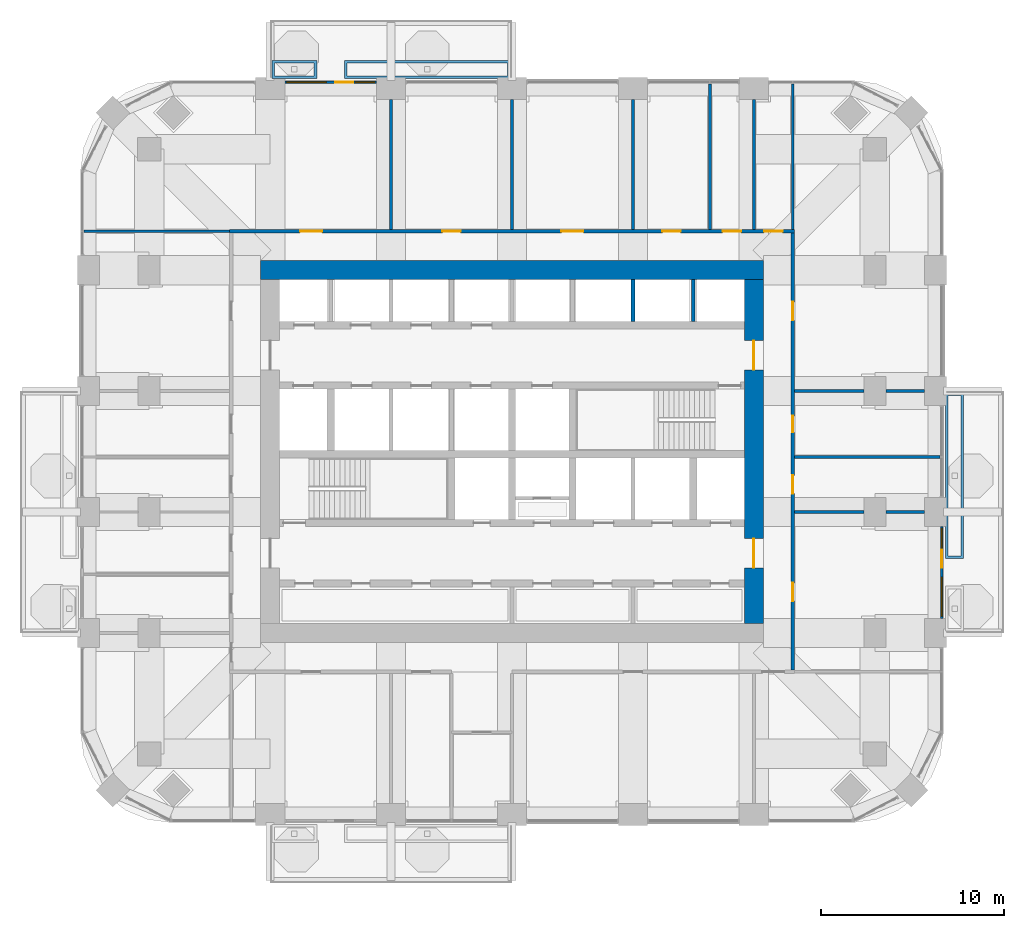
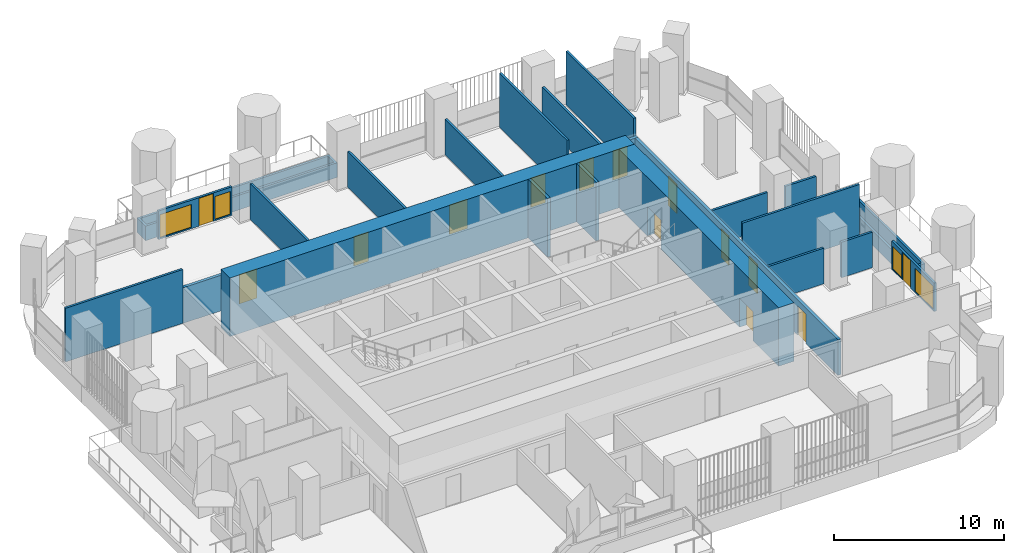
# One storey, part 14 of 20: 23 walls, 14 doors, 4 windows, 18 openings.
"""IFC4 building model written with IfcOpenShell, lengths in metres."""

from ifc_helpers import new_model, si_unit, direction, frame, frame_2d, origin, place, context, subcontext, project, spatial, polyline, rectangle, outline, extrude, material, layer, layer_set, type_object, element, fill, save


model = new_model("IFC4")

# Units and contexts
model_context = context("Model", 3, precision=1e-05, world=origin(), true_north=direction((0.0, 1.0)))
body_context = subcontext(model_context, "Body", "Model", "MODEL_VIEW")
ifc_project = project(units=[si_unit("LENGTHUNIT", "METRE"), si_unit("AREAUNIT", "SQUARE_METRE"), si_unit("VOLUMEUNIT", "CUBIC_METRE"), si_unit("PLANEANGLEUNIT", "RADIAN"), si_unit("MASSUNIT", "GRAM", prefix="KILO")], contexts=[model_context])

# Site, building, storey
site_placement = place(None, origin())
site = spatial("IfcSite", under=ifc_project, at=site_placement, CompositionType="ELEMENT")
building_placement = place(site_placement, origin())
building = spatial("IfcBuilding", under=site, at=building_placement, Name="Cobogo Forest Laboratory Tower", CompositionType="ELEMENT")
storey_placement = place(building_placement, frame((0.0, 0.0, 218.699951171875)))
storey = spatial("IfcBuildingStorey", under=building, at=storey_placement, Name="L50", CompositionType="ELEMENT", Elevation=218.699951171875)

# Wall, openings, doors
ifc_material_1 = material(Name="Concrete HA-50 (C50/60)", Category="concrete")
ifc_layer_1 = layer(ifc_material_1, 1.050048828125)
ifc_layer_set_1 = layer_set([ifc_layer_1], Name="CW1050 core outer wall 1050")
wall_type_1 = type_object("IfcWallType", Name="CW1050 core outer wall 1050", PredefinedType="SHEAR", material=ifc_layer_set_1)
wall_1_placement = place(storey_placement, frame((39.60009765625, 13.72509765625, 0.0), z_axis=(0.0, 0.0, 1.0), x_axis=(0.0, 1.0, 0.0)))
wall_1 = element("IfcWall", 1, at=wall_1_placement, inside=storey, type_object=wall_type_1, Name="Core wall CO-E L50", PredefinedType="SHEAR", context=body_context, shape_type="SweptSolid", body=[
    extrude(rectangle(XDim=18.75, YDim=1.050048828125, at=frame_2d((9.375, 0.0))), origin(), (0.0, 0.0, 1.0), 4.199951171875),
])
opening_1_placement = place(wall_1_placement, frame((3.02490234375, 0.0, 0.0)))
opening_1 = element("IfcOpeningElement", 2, at=opening_1_placement, cuts=wall_1, Name="Opening L50-D21", PredefinedType="OPENING", context=body_context, shape_type="SweptSolid", body=[
    extrude(rectangle(XDim=1.60009765625, YDim=2.10009765625, at=frame_2d((0.800048828125, 1.050048828125))), frame((0.0, 0.534912109375, 0.0), z_axis=(0.0, -1.0, 0.0), x_axis=(1.0, 0.0, 0.0)), (0.0, 0.0, 1.0), 1.070068359375),
])
opening_2_placement = place(wall_1_placement, frame((13.824951171875, 0.0, 0.0)))
opening_2 = element("IfcOpeningElement", 3, at=opening_2_placement, cuts=wall_1, Name="Opening L50-D33", PredefinedType="OPENING", context=body_context, shape_type="SweptSolid", body=[
    extrude(rectangle(XDim=1.60009765625, YDim=2.10009765625, at=frame_2d((0.800048828125, 1.050048828125))), frame((0.0, 0.534912109375, 0.0), z_axis=(0.0, -1.0, 0.0), x_axis=(1.0, 0.0, 0.0)), (0.0, 0.0, 1.0), 1.070068359375),
])
ifc_material_2 = material(Name="Steel fire door", Category="steel")
door_type_1 = type_object("IfcDoorType", Name="DS2 protected lobby door pair 1600 EI2 60", OperationType="DOUBLE_DOOR_DOUBLE_SWING", PredefinedType="DOOR", material=ifc_material_2)
door_1_placement = place(opening_1_placement, origin())
door_1 = element("IfcDoor", 4, at=door_1_placement, inside=storey, type_object=door_type_1, Name="Door L50-CO-E-S", OperationType="DOUBLE_DOOR_DOUBLE_SWING", OverallHeight=2.10009765625, OverallWidth=1.60009765625, PredefinedType="DOOR", context=body_context, shape_type="SweptSolid", body=[
    extrude(rectangle(XDim=1.60009765625, YDim=2.10009765625, at=frame_2d((0.800048828125, 1.050048828125))), frame((0.0, 0.02490234375, 0.0), z_axis=(0.0, -1.0, 0.0), x_axis=(1.0, 0.0, 0.0)), (0.0, 0.0, 1.0), 0.050048828125),
])
fill(opening_1, door_1)
door_2_placement = place(opening_2_placement, origin())
door_2 = element("IfcDoor", 5, at=door_2_placement, inside=storey, type_object=door_type_1, Name="Door L50-CO-E-N", OperationType="DOUBLE_DOOR_DOUBLE_SWING", OverallHeight=2.10009765625, OverallWidth=1.60009765625, PredefinedType="DOOR", context=body_context, shape_type="SweptSolid", body=[
    extrude(rectangle(XDim=1.60009765625, YDim=2.10009765625, at=frame_2d((0.800048828125, 1.050048828125))), frame((0.0, 0.02490234375, 0.0), z_axis=(0.0, -1.0, 0.0), x_axis=(1.0, 0.0, 0.0)), (0.0, 0.0, 1.0), 0.050048828125),
])
fill(opening_2, door_2)

# Wall
wall_2_placement = place(storey_placement, frame((40.125, 33.0, 0.0), z_axis=(0.0, 0.0, 1.0), x_axis=(-1.0, 0.0, 0.0)))
element("IfcWall", 6, at=wall_2_placement, inside=storey, type_object=wall_type_1, Name="Core wall CO-N L50", PredefinedType="SHEAR", context=body_context, shape_type="SweptSolid", body=[
    extrude(rectangle(XDim=27.449951171875, YDim=1.050048828125, at=frame_2d((13.72509765625, 0.0))), origin(), (0.0, 0.0, 1.0), 4.199951171875),
])

# Wall, openings, door, windows
ifc_material_3 = material(Name="Aluminium framed glazed screen", Category="aluminium")
ifc_layer_2 = layer(ifc_material_3, 0.14990234375)
ifc_layer_set_2 = layer_set([ifc_layer_2], Name="GS1 glazed door screen 150")
wall_type_2 = type_object("IfcWallType", Name="GS1 glazed door screen 150", PredefinedType="SOLIDWALL", material=ifc_layer_set_2)
wall_3_placement = place(storey_placement, frame((49.85009765625, 14.0, 0.0), z_axis=(0.0, 0.0, 1.0), x_axis=(0.0, 1.0, 0.0)))
wall_3 = element("IfcWall", 7, at=wall_3_placement, inside=storey, type_object=wall_type_2, Name="Door screen BAL-E1 L50", PredefinedType="SOLIDWALL", context=body_context, shape_type="SweptSolid", body=[
    extrude(rectangle(XDim=5.0, YDim=0.14990234375, at=frame_2d((2.5, 0.0))), origin(), (0.0, 0.0, 1.0), 2.050048828125),
])
opening_3_placement = place(wall_3_placement, frame((2.75, 0.0, 0.0)))
opening_3 = element("IfcOpeningElement", 8, at=opening_3_placement, cuts=wall_3, Name="Opening L50-D19", PredefinedType="OPENING", context=body_context, shape_type="SweptSolid", body=[
    extrude(rectangle(XDim=1.0, YDim=2.0, at=frame_2d((0.5, 1.0))), frame((0.0, 0.0849609375, 0.0), z_axis=(0.0, -1.0, 0.0), x_axis=(1.0, 0.0, 0.0)), (0.0, 0.0, 1.0), 0.169921875),
])
opening_4_placement = place(wall_3_placement, frame((0.10009765625, 0.0, 0.10009765625)))
opening_4 = element("IfcOpeningElement", 9, at=opening_4_placement, cuts=wall_3, Name="Opening L50-W04", PredefinedType="OPENING", context=body_context, shape_type="SweptSolid", body=[
    extrude(rectangle(XDim=2.14990234375, YDim=1.64990234375, at=frame_2d((1.074951171875, 0.824951171875))), frame((0.0, 0.0849609375, 0.0), z_axis=(0.0, -1.0, 0.0), x_axis=(1.0, 0.0, 0.0)), (0.0, 0.0, 1.0), 0.169921875),
])
opening_5_placement = place(wall_3_placement, frame((3.85009765625, 0.0, 0.10009765625)))
opening_5 = element("IfcOpeningElement", 10, at=opening_5_placement, cuts=wall_3, Name="Opening L50-W06", PredefinedType="OPENING", context=body_context, shape_type="SweptSolid", body=[
    extrude(rectangle(XDim=1.050048828125, YDim=1.64990234375, at=frame_2d((0.52490234375, 0.824951171875))), frame((0.0, 0.0849609375, 0.0), z_axis=(0.0, -1.0, 0.0), x_axis=(1.0, 0.0, 0.0)), (0.0, 0.0, 1.0), 0.169921875),
])
ifc_material_4 = material(Name="Aluminium glazed door", Category="aluminium")
door_type_2 = type_object("IfcDoorType", Name="DB2 balcony door 1000 glazed 2000 high", OperationType="SINGLE_SWING_LEFT", PredefinedType="DOOR", material=ifc_material_4)
door_3_placement = place(opening_3_placement, origin())
door_3 = element("IfcDoor", 11, at=door_3_placement, inside=storey, type_object=door_type_2, Name="Door L50-BAL-E1", OperationType="SINGLE_SWING_RIGHT", OverallHeight=2.0, OverallWidth=1.0, PredefinedType="DOOR", context=body_context, shape_type="SweptSolid", body=[
    extrude(rectangle(XDim=1.0, YDim=2.0, at=frame_2d((0.5, 1.0))), frame((0.0, 0.02490234375, 0.0), z_axis=(0.0, -1.0, 0.0), x_axis=(1.0, 0.0, 0.0)), (0.0, 0.0, 1.0), 0.050048828125),
])
fill(opening_3, door_3)
ifc_material_5 = material(Name="Aluminium framed glazing", Category="aluminium")
window_type_1 = type_object("IfcWindowType", Name="WG19 fixed glazed light 2150x1650", PartitioningType="SINGLE_PANEL", PredefinedType="WINDOW", material=ifc_material_5)
window_1_placement = place(opening_4_placement, origin())
window_1 = element("IfcWindow", 12, at=window_1_placement, inside=storey, type_object=window_type_1, Name="Window L50-BAL-E1-1", OverallHeight=1.64990234375, OverallWidth=2.14990234375, PartitioningType="SINGLE_PANEL", PredefinedType="WINDOW", context=body_context, shape_type="SweptSolid", body=[
    extrude(rectangle(XDim=2.14990234375, YDim=1.64990234375, at=frame_2d((1.074951171875, 0.824951171875))), frame((0.0, 0.030029296875, 0.0), z_axis=(0.0, -1.0, 0.0), x_axis=(1.0, 0.0, 0.0)), (0.0, 0.0, 1.0), 0.06005859375),
])
fill(opening_4, window_1)
window_type_2 = type_object("IfcWindowType", Name="WG20 fixed glazed light 1050x1650", PartitioningType="SINGLE_PANEL", PredefinedType="WINDOW", material=ifc_material_5)
window_2_placement = place(opening_5_placement, origin())
window_2 = element("IfcWindow", 13, at=window_2_placement, inside=storey, type_object=window_type_2, Name="Window L50-BAL-E1-2", OverallHeight=1.64990234375, OverallWidth=1.050048828125, PartitioningType="SINGLE_PANEL", PredefinedType="WINDOW", context=body_context, shape_type="SweptSolid", body=[
    extrude(rectangle(XDim=1.050048828125, YDim=1.64990234375, at=frame_2d((0.52490234375, 0.824951171875))), frame((0.0, 0.030029296875, 0.0), z_axis=(0.0, -1.0, 0.0), x_axis=(1.0, 0.0, 0.0)), (0.0, 0.0, 1.0), 0.06005859375),
])
fill(opening_5, window_2)

wall_4_placement = place(storey_placement, frame((19.0, 43.25, 0.0), z_axis=(0.0, 0.0, 1.0), x_axis=(-1.0, 0.0, 0.0)))
wall_4 = element("IfcWall", 14, at=wall_4_placement, inside=storey, type_object=wall_type_2, Name="Door screen BAL-N1 L50", PredefinedType="SOLIDWALL", context=body_context, shape_type="SweptSolid", body=[
    extrude(rectangle(XDim=5.0, YDim=0.14990234375, at=frame_2d((2.5, 0.0))), origin(), (0.0, 0.0, 1.0), 2.050048828125),
])
opening_6_placement = place(wall_4_placement, frame((1.25, 0.0, 0.0)))
opening_6 = element("IfcOpeningElement", 15, at=opening_6_placement, cuts=wall_4, Name="Opening L50-D42", PredefinedType="OPENING", context=body_context, shape_type="SweptSolid", body=[
    extrude(rectangle(XDim=1.0, YDim=2.0, at=frame_2d((0.5, 1.0))), frame((0.0, 0.0849609375, 0.0), z_axis=(0.0, -1.0, 0.0), x_axis=(1.0, 0.0, 0.0)), (0.0, 0.0, 1.0), 0.169921875),
])
opening_7_placement = place(wall_4_placement, frame((0.10009765625, 0.0, 0.10009765625)))
opening_7 = element("IfcOpeningElement", 16, at=opening_7_placement, cuts=wall_4, Name="Opening L50-W08", PredefinedType="OPENING", context=body_context, shape_type="SweptSolid", body=[
    extrude(rectangle(XDim=1.050048828125, YDim=1.64990234375, at=frame_2d((0.52490234375, 0.824951171875))), frame((0.0, 0.0849609375, 0.0), z_axis=(0.0, -1.0, 0.0), x_axis=(1.0, 0.0, 0.0)), (0.0, 0.0, 1.0), 0.169921875),
])
opening_8_placement = place(wall_4_placement, frame((2.75, 0.0, 0.10009765625)))
opening_8 = element("IfcOpeningElement", 17, at=opening_8_placement, cuts=wall_4, Name="Opening L50-W07", PredefinedType="OPENING", context=body_context, shape_type="SweptSolid", body=[
    extrude(rectangle(XDim=2.14990234375, YDim=1.64990234375, at=frame_2d((1.074951171875, 0.824951171875))), frame((0.0, 0.0849609375, 0.0), z_axis=(0.0, -1.0, 0.0), x_axis=(1.0, 0.0, 0.0)), (0.0, 0.0, 1.0), 0.169921875),
])
door_4_placement = place(opening_6_placement, origin())
door_4 = element("IfcDoor", 18, at=door_4_placement, inside=storey, type_object=door_type_2, Name="Door L50-BAL-N1", OperationType="SINGLE_SWING_LEFT", OverallHeight=2.0, OverallWidth=1.0, PredefinedType="DOOR", context=body_context, shape_type="SweptSolid", body=[
    extrude(rectangle(XDim=1.0, YDim=2.0, at=frame_2d((0.5, 1.0))), frame((0.0, 0.02490234375, 0.0), z_axis=(0.0, -1.0, 0.0), x_axis=(1.0, 0.0, 0.0)), (0.0, 0.0, 1.0), 0.050048828125),
])
fill(opening_6, door_4)
window_3_placement = place(opening_8_placement, origin())
window_3 = element("IfcWindow", 19, at=window_3_placement, inside=storey, type_object=window_type_1, Name="Window L50-BAL-N1-2", OverallHeight=1.64990234375, OverallWidth=2.14990234375, PartitioningType="SINGLE_PANEL", PredefinedType="WINDOW", context=body_context, shape_type="SweptSolid", body=[
    extrude(rectangle(XDim=2.14990234375, YDim=1.64990234375, at=frame_2d((1.074951171875, 0.824951171875))), frame((0.0, 0.030029296875, 0.0), z_axis=(0.0, -1.0, 0.0), x_axis=(1.0, 0.0, 0.0)), (0.0, 0.0, 1.0), 0.06005859375),
])
fill(opening_8, window_3)
window_4_placement = place(opening_7_placement, origin())
window_4 = element("IfcWindow", 20, at=window_4_placement, inside=storey, type_object=window_type_2, Name="Window L50-BAL-N1-1", OverallHeight=1.64990234375, OverallWidth=1.050048828125, PartitioningType="SINGLE_PANEL", PredefinedType="WINDOW", context=body_context, shape_type="SweptSolid", body=[
    extrude(rectangle(XDim=1.050048828125, YDim=1.64990234375, at=frame_2d((0.52490234375, 0.824951171875))), frame((0.0, 0.030029296875, 0.0), z_axis=(0.0, -1.0, 0.0), x_axis=(1.0, 0.0, 0.0)), (0.0, 0.0, 1.0), 0.06005859375),
])
fill(opening_7, window_4)

# Walls
ifc_material_6 = material(Name="Gypsum board on steel studs", Category="steel")
ifc_layer_3 = layer(ifc_material_6, 0.14990234375)
ifc_layer_set_3 = layer_set([ifc_layer_3], Name="PT1 laboratory partition 150")
wall_type_3 = type_object("IfcWallType", Name="PT1 laboratory partition 150", PredefinedType="PARTITIONING", material=ifc_layer_set_3)
wall_5_placement = place(storey_placement, frame((41.72509765625, 43.169921875, 0.0), z_axis=(0.0, 0.0, 1.0), x_axis=(0.0, -1.0, 0.0)))
element("IfcWall", 21, at=wall_5_placement, inside=storey, type_object=wall_type_3, Name="Partition PW-NE L50", PredefinedType="PARTITIONING", context=body_context, shape_type="SweptSolid", body=[
    extrude(rectangle(XDim=7.94482421875, YDim=0.14990234375, at=frame_2d((3.972412109375, 0.0))), origin(), (0.0, 0.0, 1.0), 3.85009765625),
])
for number, where, z_axis, x_axis, name in (
    (22, (3.030029296875, 35.125, 0.0), (0.0, 0.0, 1.0), (1.0, 0.0, 0.0), "Partition PW-NW L50"),
    (23, (49.77001953125, 22.800048828125, 0.0), (0.0, 0.0, 1.0), (-1.0, 0.0, 0.0), "Partition SVC-E1-1 L50"),
):
    element("IfcWall", number, at=place(storey_placement, frame(where, z_axis=z_axis, x_axis=x_axis)), inside=storey, type_object=wall_type_3, Name=name, PredefinedType="PARTITIONING", context=body_context, shape_type="SweptSolid", body=[
        extrude(rectangle(XDim=7.945068359375, YDim=0.14990234375, at=frame_2d((3.97265625, 0.0))), origin(), (0.0, 0.0, 1.0), 3.85009765625),
    ])
wall_6_placement = place(storey_placement, frame((48.89990234375, 26.39990234375, 0.0), z_axis=(0.0, 0.0, 1.0), x_axis=(-1.0, 0.0, 0.0)))
element("IfcWall", 24, at=wall_6_placement, inside=storey, type_object=wall_type_3, Name="Partition SVC-E2-1 L50", PredefinedType="PARTITIONING", context=body_context, shape_type="SweptSolid", body=[
    extrude(rectangle(XDim=2.099853515625, YDim=0.14990234375, at=frame_2d((1.0498046875, 0.0))), origin(), (0.0, 0.0, 1.0), 2.550048828125),
])
wall_7_placement = place(storey_placement, frame((45.60009765625, 26.39990234375, 0.0), z_axis=(0.0, 0.0, 1.0), x_axis=(-1.0, 0.0, 0.0)))
element("IfcWall", 25, at=wall_7_placement, inside=storey, type_object=wall_type_3, Name="Partition SVC-E2-2 L50", PredefinedType="PARTITIONING", context=body_context, shape_type="SweptSolid", body=[
    extrude(rectangle(XDim=3.775146484375, YDim=0.14990234375, at=frame_2d((1.8876953125, 0.0))), origin(), (0.0, 0.0, 1.0), 2.550048828125),
])
wall_8_placement = place(storey_placement, frame((48.89990234375, 19.800048828125, 0.0), z_axis=(0.0, 0.0, 1.0), x_axis=(-1.0, 0.0, 0.0)))
element("IfcWall", 26, at=wall_8_placement, inside=storey, type_object=wall_type_3, Name="Partition CUT-E19.8-1 L50", PredefinedType="PARTITIONING", context=body_context, shape_type="SweptSolid", body=[
    extrude(rectangle(XDim=2.099853515625, YDim=0.14990234375, at=frame_2d((1.0498046875, 0.0))), origin(), (0.0, 0.0, 1.0), 2.550048828125),
])
wall_9_placement = place(storey_placement, frame((45.60009765625, 19.800048828125, 0.0), z_axis=(0.0, 0.0, 1.0), x_axis=(-1.0, 0.0, 0.0)))
element("IfcWall", 27, at=wall_9_placement, inside=storey, type_object=wall_type_3, Name="Partition CUT-E19.8-2 L50", PredefinedType="PARTITIONING", context=body_context, shape_type="SweptSolid", body=[
    extrude(rectangle(XDim=3.775146484375, YDim=0.14990234375, at=frame_2d((1.8876953125, 0.0))), origin(), (0.0, 0.0, 1.0), 2.550048828125),
])
wall_10_placement = place(storey_placement, frame((37.199951171875, 43.169921875, 0.0), z_axis=(0.0, 0.0, 1.0), x_axis=(0.0, -1.0, 0.0)))
element("IfcWall", 28, at=wall_10_placement, inside=storey, type_object=wall_type_3, Name="Partition SVC-N1-1 L50", PredefinedType="PARTITIONING", context=body_context, shape_type="SweptSolid", body=[
    extrude(rectangle(XDim=7.94482421875, YDim=0.14990234375, at=frame_2d((3.972412109375, 0.0))), origin(), (0.0, 0.0, 1.0), 3.85009765625),
])
for number, where, z_axis, x_axis, name in (
    (29, (39.60009765625, 42.300048828125, 0.0), (0.0, 0.0, 1.0), (0.0, -1.0, 0.0), "Partition SVC-N2-1 L50"),
    (30, (19.800048828125, 42.300048828125, 0.0), (0.0, 0.0, 1.0), (0.0, -1.0, 0.0), "Partition CUT-N19.8-1 L50"),
    (31, (26.39990234375, 42.300048828125, 0.0), (0.0, 0.0, 1.0), (0.0, -1.0, 0.0), "Partition CUT-N26.4-1 L50"),
    (32, (33.0, 42.300048828125, 0.0), (0.0, 0.0, 1.0), (0.0, -1.0, 0.0), "Partition CUT-N33-1 L50"),
):
    element("IfcWall", number, at=place(storey_placement, frame(where, z_axis=z_axis, x_axis=x_axis)), inside=storey, type_object=wall_type_3, Name=name, PredefinedType="PARTITIONING", context=body_context, shape_type="SweptSolid", body=[
        extrude(rectangle(XDim=7.074951171875, YDim=0.14990234375, at=frame_2d((3.53759765625, 0.0))), origin(), (0.0, 0.0, 1.0), 2.550048828125),
    ])

# Wall, openings, doors
ifc_layer_4 = layer(ifc_material_6, 0.199951171875)
ifc_layer_set_4 = layer_set([ifc_layer_4], Name="PT2 fire-rated corridor partition 200")
wall_type_4 = type_object("IfcWallType", Name="PT2 fire-rated corridor partition 200", PredefinedType="PARTITIONING", material=ifc_layer_set_4)
wall_11_placement = place(storey_placement, frame((10.97509765625, 35.125, 0.0), z_axis=(0.0, 0.0, 1.0), x_axis=(1.0, 0.0, 0.0)))
wall_11 = element("IfcWall", 33, at=wall_11_placement, inside=storey, type_object=wall_type_4, Name="Partition CORR-N L50", PredefinedType="PARTITIONING", context=body_context, shape_type="SweptSolid", body=[
    extrude(rectangle(XDim=30.849853515625, YDim=0.199951171875, at=frame_2d((15.4248046875, 0.0))), origin(), (0.0, 0.0, 1.0), 2.550048828125),
])
opening_9_placement = place(wall_11_placement, frame((3.862548828125, 0.0, 0.0)))
opening_9 = element("IfcOpeningElement", 34, at=opening_9_placement, cuts=wall_11, Name="Opening L50-D36", PredefinedType="OPENING", context=body_context, shape_type="SweptSolid", body=[
    extrude(rectangle(XDim=1.199951171875, YDim=2.10009765625, at=frame_2d((0.60009765625, 1.050048828125))), frame((0.0, 0.10986328125, 0.0), z_axis=(0.0, -1.0, 0.0), x_axis=(1.0, 0.0, 0.0)), (0.0, 0.0, 1.0), 0.219970703125),
])
opening_10_placement = place(wall_11_placement, frame((11.625, 0.0, 0.0)))
opening_10 = element("IfcOpeningElement", 35, at=opening_10_placement, cuts=wall_11, Name="Opening L50-D37", PredefinedType="OPENING", context=body_context, shape_type="SweptSolid", body=[
    extrude(rectangle(XDim=1.0, YDim=2.10009765625, at=frame_2d((0.5, 1.050048828125))), frame((0.0, 0.10986328125, 0.0), z_axis=(0.0, -1.0, 0.0), x_axis=(1.0, 0.0, 0.0)), (0.0, 0.0, 1.0), 0.219970703125),
])
opening_11_placement = place(wall_11_placement, frame((18.125, 0.0, 0.0)))
opening_11 = element("IfcOpeningElement", 36, at=opening_11_placement, cuts=wall_11, Name="Opening L50-D38", PredefinedType="OPENING", context=body_context, shape_type="SweptSolid", body=[
    extrude(rectangle(XDim=1.199951171875, YDim=2.10009765625, at=frame_2d((0.60009765625, 1.050048828125))), frame((0.0, 0.10986328125, 0.0), z_axis=(0.0, -1.0, 0.0), x_axis=(1.0, 0.0, 0.0)), (0.0, 0.0, 1.0), 0.219970703125),
])
opening_12_placement = place(wall_11_placement, frame((23.625, 0.0, 0.0)))
opening_12 = element("IfcOpeningElement", 37, at=opening_12_placement, cuts=wall_11, Name="Opening L50-D39", PredefinedType="OPENING", context=body_context, shape_type="SweptSolid", body=[
    extrude(rectangle(XDim=1.0, YDim=2.10009765625, at=frame_2d((0.5, 1.050048828125))), frame((0.0, 0.10986328125, 0.0), z_axis=(0.0, -1.0, 0.0), x_axis=(1.0, 0.0, 0.0)), (0.0, 0.0, 1.0), 0.219970703125),
])
opening_13_placement = place(wall_11_placement, frame((26.925048828125, 0.0, 0.0)))
opening_13 = element("IfcOpeningElement", 38, at=opening_13_placement, cuts=wall_11, Name="Opening L50-D40", PredefinedType="OPENING", context=body_context, shape_type="SweptSolid", body=[
    extrude(rectangle(XDim=1.0, YDim=2.10009765625, at=frame_2d((0.5, 1.050048828125))), frame((0.0, 0.10986328125, 0.0), z_axis=(0.0, -1.0, 0.0), x_axis=(1.0, 0.0, 0.0)), (0.0, 0.0, 1.0), 0.219970703125),
])
opening_14_placement = place(wall_11_placement, frame((29.1875, 0.0, 0.0)))
opening_14 = element("IfcOpeningElement", 39, at=opening_14_placement, cuts=wall_11, Name="Opening L50-D41", PredefinedType="OPENING", context=body_context, shape_type="SweptSolid", body=[
    extrude(rectangle(XDim=1.0, YDim=2.10009765625, at=frame_2d((0.5, 1.050048828125))), frame((0.0, 0.10986328125, 0.0), z_axis=(0.0, -1.0, 0.0), x_axis=(1.0, 0.0, 0.0)), (0.0, 0.0, 1.0), 0.219970703125),
])
ifc_material_7 = material(Name="Timber door", Category="wood")
door_type_3 = type_object("IfcDoorType", Name="D2 laboratory door 1200 unequal pair", OperationType="DOUBLE_DOOR_SINGLE_SWING", PredefinedType="DOOR", material=ifc_material_7)
door_5_placement = place(opening_9_placement, origin())
door_5 = element("IfcDoor", 40, at=door_5_placement, inside=storey, type_object=door_type_3, Name="Door L50-N1", OperationType="DOUBLE_DOOR_SINGLE_SWING", OverallHeight=2.10009765625, OverallWidth=1.199951171875, PredefinedType="DOOR", context=body_context, shape_type="SweptSolid", body=[
    extrude(rectangle(XDim=1.199951171875, YDim=2.10009765625, at=frame_2d((0.60009765625, 1.050048828125))), frame((0.0, 0.02490234375, 0.0), z_axis=(0.0, -1.0, 0.0), x_axis=(1.0, 0.0, 0.0)), (0.0, 0.0, 1.0), 0.050048828125),
])
fill(opening_9, door_5)
door_6_placement = place(opening_11_placement, origin())
door_6 = element("IfcDoor", 41, at=door_6_placement, inside=storey, type_object=door_type_3, Name="Door L50-N3", OperationType="DOUBLE_DOOR_SINGLE_SWING", OverallHeight=2.10009765625, OverallWidth=1.199951171875, PredefinedType="DOOR", context=body_context, shape_type="SweptSolid", body=[
    extrude(rectangle(XDim=1.199951171875, YDim=2.10009765625, at=frame_2d((0.60009765625, 1.050048828125))), frame((0.0, 0.02490234375, 0.0), z_axis=(0.0, -1.0, 0.0), x_axis=(1.0, 0.0, 0.0)), (0.0, 0.0, 1.0), 0.050048828125),
])
fill(opening_11, door_6)
ifc_material_8 = material(Name="Timber fire door", Category="wood")
door_type_4 = type_object("IfcDoorType", Name="FD2 fire door 1000 EI2 30", OperationType="SINGLE_SWING_LEFT", PredefinedType="DOOR", material=ifc_material_8)
door_7_placement = place(opening_10_placement, origin())
door_7 = element("IfcDoor", 42, at=door_7_placement, inside=storey, type_object=door_type_4, Name="Door L50-N2", OperationType="SINGLE_SWING_LEFT", OverallHeight=2.10009765625, OverallWidth=1.0, PredefinedType="DOOR", context=body_context, shape_type="SweptSolid", body=[
    extrude(rectangle(XDim=1.0, YDim=2.10009765625, at=frame_2d((0.5, 1.050048828125))), frame((0.0, 0.02490234375, 0.0), z_axis=(0.0, -1.0, 0.0), x_axis=(1.0, 0.0, 0.0)), (0.0, 0.0, 1.0), 0.050048828125),
])
fill(opening_10, door_7)
door_8_placement = place(opening_12_placement, origin())
door_8 = element("IfcDoor", 43, at=door_8_placement, inside=storey, type_object=door_type_4, Name="Door L50-MTG", OperationType="SINGLE_SWING_RIGHT", OverallHeight=2.10009765625, OverallWidth=1.0, PredefinedType="DOOR", context=body_context, shape_type="SweptSolid", body=[
    extrude(rectangle(XDim=1.0, YDim=2.10009765625, at=frame_2d((0.5, 1.050048828125))), frame((0.0, 0.02490234375, 0.0), z_axis=(0.0, -1.0, 0.0), x_axis=(1.0, 0.0, 0.0)), (0.0, 0.0, 1.0), 0.050048828125),
])
fill(opening_12, door_8)
door_9_placement = place(opening_13_placement, origin())
door_9 = element("IfcDoor", 44, at=door_9_placement, inside=storey, type_object=door_type_4, Name="Door L50-PAN", OperationType="SINGLE_SWING_RIGHT", OverallHeight=2.10009765625, OverallWidth=1.0, PredefinedType="DOOR", context=body_context, shape_type="SweptSolid", body=[
    extrude(rectangle(XDim=1.0, YDim=2.10009765625, at=frame_2d((0.5, 1.050048828125))), frame((0.0, 0.02490234375, 0.0), z_axis=(0.0, -1.0, 0.0), x_axis=(1.0, 0.0, 0.0)), (0.0, 0.0, 1.0), 0.050048828125),
])
fill(opening_13, door_9)
door_10_placement = place(opening_14_placement, origin())
door_10 = element("IfcDoor", 45, at=door_10_placement, inside=storey, type_object=door_type_4, Name="Door L50-N4", OperationType="SINGLE_SWING_RIGHT", OverallHeight=2.10009765625, OverallWidth=1.0, PredefinedType="DOOR", context=body_context, shape_type="SweptSolid", body=[
    extrude(rectangle(XDim=1.0, YDim=2.10009765625, at=frame_2d((0.5, 1.050048828125))), frame((0.0, 0.02490234375, 0.0), z_axis=(0.0, -1.0, 0.0), x_axis=(1.0, 0.0, 0.0)), (0.0, 0.0, 1.0), 0.050048828125),
])
fill(opening_14, door_10)

wall_12_placement = place(storey_placement, frame((41.72509765625, 11.175048828125, 0.0), z_axis=(0.0, 0.0, 1.0), x_axis=(0.0, 1.0, 0.0)))
wall_12 = element("IfcWall", 46, at=wall_12_placement, inside=storey, type_object=wall_type_4, Name="Partition CORR-E L50", PredefinedType="PARTITIONING", context=body_context, shape_type="SweptSolid", body=[
    extrude(rectangle(XDim=23.849853515625, YDim=0.199951171875, at=frame_2d((11.9248046875, 0.0))), origin(), (0.0, 0.0, 1.0), 2.550048828125),
])
opening_15_placement = place(wall_12_placement, frame((3.762451171875, 0.0, 0.0)))
opening_15 = element("IfcOpeningElement", 47, at=opening_15_placement, cuts=wall_12, Name="Opening L50-D09", PredefinedType="OPENING", context=body_context, shape_type="SweptSolid", body=[
    extrude(rectangle(XDim=1.0, YDim=2.10009765625, at=frame_2d((0.5, 1.050048828125))), frame((0.0, 0.10986328125, 0.0), z_axis=(0.0, -1.0, 0.0), x_axis=(1.0, 0.0, 0.0)), (0.0, 0.0, 1.0), 0.219970703125),
])
opening_16_placement = place(wall_12_placement, frame((9.625, 0.0, 0.0)))
opening_16 = element("IfcOpeningElement", 48, at=opening_16_placement, cuts=wall_12, Name="Opening L50-D28", PredefinedType="OPENING", context=body_context, shape_type="SweptSolid", body=[
    extrude(rectangle(XDim=1.0, YDim=2.10009765625, at=frame_2d((0.5, 1.050048828125))), frame((0.0, 0.10986328125, 0.0), z_axis=(0.0, -1.0, 0.0), x_axis=(1.0, 0.0, 0.0)), (0.0, 0.0, 1.0), 0.219970703125),
])
opening_17_placement = place(wall_12_placement, frame((12.97509765625, 0.0, 0.0)))
opening_17 = element("IfcOpeningElement", 49, at=opening_17_placement, cuts=wall_12, Name="Opening L50-D30", PredefinedType="OPENING", context=body_context, shape_type="SweptSolid", body=[
    extrude(rectangle(XDim=0.89990234375, YDim=2.10009765625, at=frame_2d((0.449951171875, 1.050048828125))), frame((0.0, 0.10986328125, 0.0), z_axis=(0.0, -1.0, 0.0), x_axis=(1.0, 0.0, 0.0)), (0.0, 0.0, 1.0), 0.219970703125),
])
opening_18_placement = place(wall_12_placement, frame((19.08740234375, 0.0, 0.0)))
opening_18 = element("IfcOpeningElement", 50, at=opening_18_placement, cuts=wall_12, Name="Opening L50-D35", PredefinedType="OPENING", context=body_context, shape_type="SweptSolid", body=[
    extrude(rectangle(XDim=1.0, YDim=2.10009765625, at=frame_2d((0.5, 1.050048828125))), frame((0.0, 0.10986328125, 0.0), z_axis=(0.0, -1.0, 0.0), x_axis=(1.0, 0.0, 0.0)), (0.0, 0.0, 1.0), 0.219970703125),
])
door_type_5 = type_object("IfcDoorType", Name="FD1 fire door 1000 EI2 60", OperationType="SINGLE_SWING_LEFT", PredefinedType="DOOR", material=ifc_material_2)
door_11_placement = place(opening_16_placement, origin())
door_11 = element("IfcDoor", 51, at=door_11_placement, inside=storey, type_object=door_type_5, Name="Door L50-ELEC", OperationType="SINGLE_SWING_LEFT", OverallHeight=2.10009765625, OverallWidth=1.0, PredefinedType="DOOR", context=body_context, shape_type="SweptSolid", body=[
    extrude(rectangle(XDim=1.0, YDim=2.10009765625, at=frame_2d((0.5, 1.050048828125))), frame((0.0, 0.02490234375, 0.0), z_axis=(0.0, -1.0, 0.0), x_axis=(1.0, 0.0, 0.0)), (0.0, 0.0, 1.0), 0.050048828125),
])
fill(opening_16, door_11)
door_12_placement = place(opening_15_placement, origin())
door_12 = element("IfcDoor", 52, at=door_12_placement, inside=storey, type_object=door_type_4, Name="Door L50-E1", OperationType="SINGLE_SWING_LEFT", OverallHeight=2.10009765625, OverallWidth=1.0, PredefinedType="DOOR", context=body_context, shape_type="SweptSolid", body=[
    extrude(rectangle(XDim=1.0, YDim=2.10009765625, at=frame_2d((0.5, 1.050048828125))), frame((0.0, 0.02490234375, 0.0), z_axis=(0.0, -1.0, 0.0), x_axis=(1.0, 0.0, 0.0)), (0.0, 0.0, 1.0), 0.050048828125),
])
fill(opening_15, door_12)
door_13_placement = place(opening_18_placement, origin())
door_13 = element("IfcDoor", 53, at=door_13_placement, inside=storey, type_object=door_type_4, Name="Door L50-E2", OperationType="SINGLE_SWING_RIGHT", OverallHeight=2.10009765625, OverallWidth=1.0, PredefinedType="DOOR", context=body_context, shape_type="SweptSolid", body=[
    extrude(rectangle(XDim=1.0, YDim=2.10009765625, at=frame_2d((0.5, 1.050048828125))), frame((0.0, 0.02490234375, 0.0), z_axis=(0.0, -1.0, 0.0), x_axis=(1.0, 0.0, 0.0)), (0.0, 0.0, 1.0), 0.050048828125),
])
fill(opening_18, door_13)
door_type_6 = type_object("IfcDoorType", Name="FD4 riser access door 900 EI2 60", OperationType="SINGLE_SWING_LEFT", PredefinedType="DOOR", material=ifc_material_2)
door_14_placement = place(opening_17_placement, origin())
door_14 = element("IfcDoor", 54, at=door_14_placement, inside=storey, type_object=door_type_6, Name="Door L50-COMMS", OperationType="SINGLE_SWING_RIGHT", OverallHeight=2.10009765625, OverallWidth=0.89990234375, PredefinedType="DOOR", context=body_context, shape_type="SweptSolid", body=[
    extrude(rectangle(XDim=0.89990234375, YDim=2.10009765625, at=frame_2d((0.449951171875, 1.050048828125))), frame((0.0, 0.02490234375, 0.0), z_axis=(0.0, -1.0, 0.0), x_axis=(1.0, 0.0, 0.0)), (0.0, 0.0, 1.0), 0.050048828125),
])
fill(opening_17, door_14)

# Walls
ifc_material_9 = material(Name="Concrete HA-40 (C40/50)", Category="concrete")
ifc_layer_5 = layer(ifc_material_9, 0.14990234375)
ifc_layer_set_5 = layer_set([ifc_layer_5], Name="Planter box 1000x1050")
wall_type_5 = type_object("IfcWallType", Name="Planter box 1000x1050", PredefinedType="USERDEFINED", material=ifc_layer_set_5)
wall_13_placement = place(storey_placement, origin())
element("IfcWall", 55, at=wall_13_placement, inside=storey, type_object=wall_type_5, Name="Planter BAL-E1-2 L50", ObjectType="PLANTER", PredefinedType="USERDEFINED", context=body_context, shape_type="SweptSolid", body=[
    extrude(outline(polyline([(50.050048828125, 17.25), (51.050048828125, 17.25), (51.050048828125, 26.300048828125), (50.050048828125, 26.300048828125), (50.050048828125, 17.25)]), holes=[polyline([(50.199951171875, 17.39990234375), (50.89990234375, 17.39990234375), (50.89990234375, 26.14990234375), (50.199951171875, 26.14990234375), (50.199951171875, 17.39990234375)])]), origin(), (0.0, 0.0, 1.0), 1.050048828125),
])
wall_14_placement = place(storey_placement, origin())
element("IfcWall", 56, at=wall_14_placement, inside=storey, type_object=wall_type_5, Name="Planter BAL-N1-1 L50", ObjectType="PLANTER", PredefinedType="USERDEFINED", context=body_context, shape_type="SweptSolid", body=[
    extrude(outline(polyline([(13.300048828125, 43.449951171875), (15.75, 43.449951171875), (15.75, 44.449951171875), (13.300048828125, 44.449951171875), (13.300048828125, 43.449951171875)]), holes=[polyline([(13.449951171875, 43.60009765625), (15.60009765625, 43.60009765625), (15.60009765625, 44.300048828125), (13.449951171875, 44.300048828125), (13.449951171875, 43.60009765625)])]), origin(), (0.0, 0.0, 1.0), 1.050048828125),
])
wall_15_placement = place(storey_placement, origin())
element("IfcWall", 57, at=wall_15_placement, inside=storey, type_object=wall_type_5, Name="Planter BAL-N1-2 L50", ObjectType="PLANTER", PredefinedType="USERDEFINED", context=body_context, shape_type="SweptSolid", body=[
    extrude(outline(polyline([(17.25, 43.449951171875), (26.300048828125, 43.449951171875), (26.300048828125, 44.449951171875), (17.25, 44.449951171875), (17.25, 43.449951171875)]), holes=[polyline([(17.39990234375, 43.60009765625), (26.14990234375, 43.60009765625), (26.14990234375, 44.300048828125), (17.39990234375, 44.300048828125), (17.39990234375, 43.60009765625)])]), origin(), (0.0, 0.0, 1.0), 1.050048828125),
])
ifc_material_10 = material(Name="Concrete block", Category="concrete")
ifc_layer_6 = layer(ifc_material_10, 0.199951171875)
ifc_layer_set_6 = layer_set([ifc_layer_6], Name="SW200 lift shaft separator 200")
wall_type_6 = type_object("IfcWallType", Name="SW200 lift shaft separator 200", PredefinedType="PARTITIONING", material=ifc_layer_set_6)
for number, where, z_axis, x_axis, name in (
    (58, (33.0, 30.199951171875, 0.0), (0.0, 0.0, 1.0), (0.0, 1.0, 0.0), "Core wall SEP-N6 L50"),
    (59, (36.300048828125, 30.199951171875, 0.0), (0.0, 0.0, 1.0), (0.0, 1.0, 0.0), "Core wall SEP-N7 L50"),
):
    element("IfcWall", number, at=place(storey_placement, frame(where, z_axis=z_axis, x_axis=x_axis)), inside=storey, type_object=wall_type_6, Name=name, PredefinedType="PARTITIONING", context=body_context, shape_type="SweptSolid", body=[
        extrude(rectangle(XDim=2.275146484375, YDim=0.199951171875, at=frame_2d((1.1376953125, 0.0))), origin(), (0.0, 0.0, 1.0), 4.199951171875),
    ])

save(model, "model.ifc")
